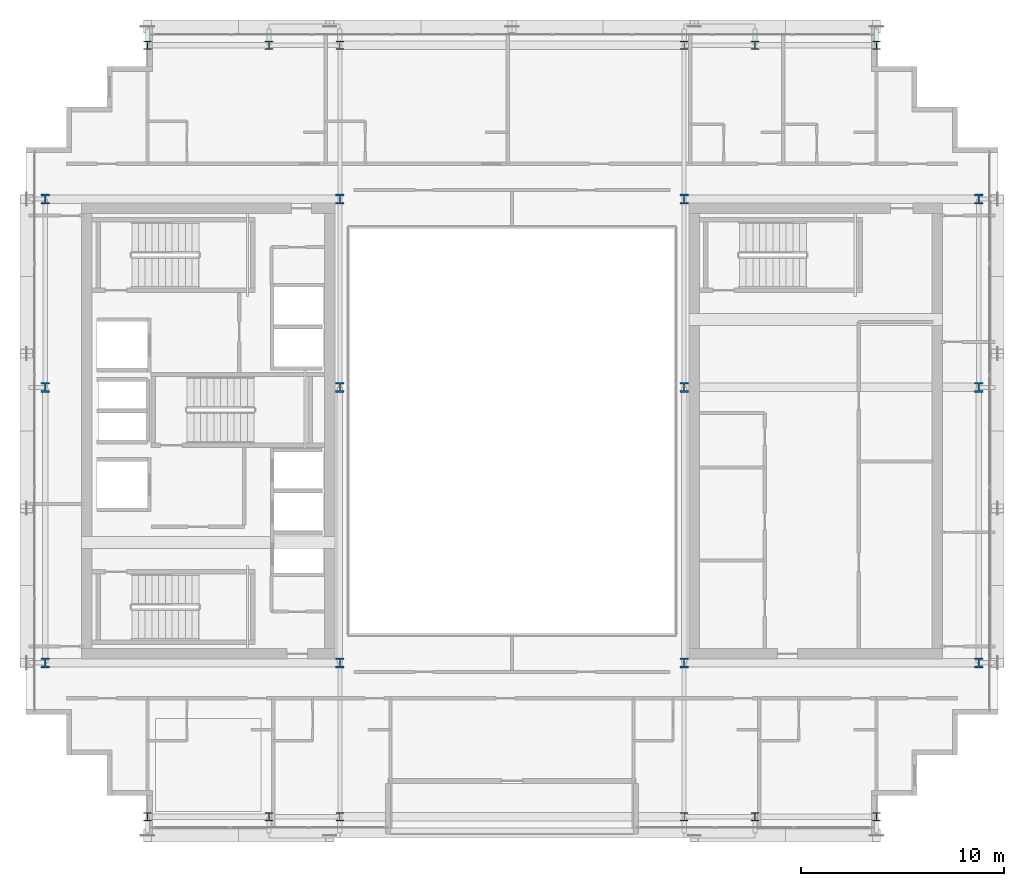
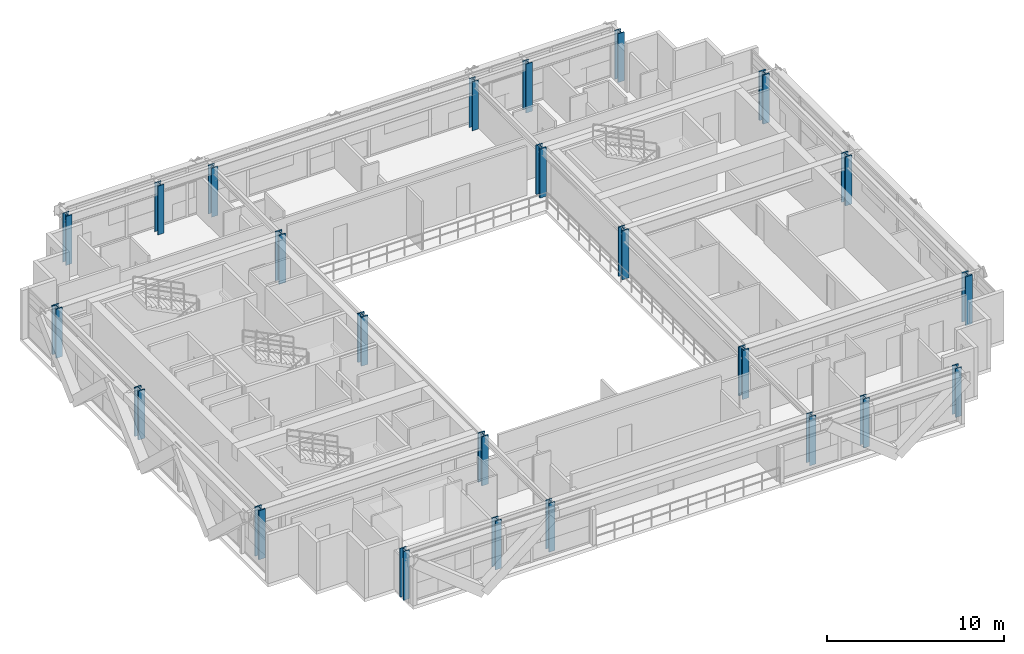
# One storey, part 1 of 32: 24 columns.
"""IFC4 building model written with IfcOpenShell, lengths in metres."""

from ifc_helpers import new_model, si_unit, direction, frame, origin, origin_2d, place, context, subcontext, project, spatial, i_section, extrude, source, transform, mapped, material, material_profile, profile_set, type_object, element, save


model = new_model("IFC4")

# Units and contexts
model_context = context("Model", 3, precision=1e-05, world=origin(), true_north=direction((0.0, 1.0)))
body_context = subcontext(model_context, "Body", "Model", "MODEL_VIEW")
ifc_project = project(units=[si_unit("LENGTHUNIT", "METRE"), si_unit("AREAUNIT", "SQUARE_METRE"), si_unit("VOLUMEUNIT", "CUBIC_METRE"), si_unit("PLANEANGLEUNIT", "RADIAN"), si_unit("MASSUNIT", "GRAM", prefix="KILO")], contexts=[model_context])

# Site, building, storey
site_placement = place(None, origin())
site = spatial("IfcSite", under=ifc_project, at=site_placement, CompositionType="ELEMENT")
building_placement = place(site_placement, origin())
building = spatial("IfcBuilding", under=site, at=building_placement, Name="Ocotamira Hotel", CompositionType="ELEMENT")
storey_placement = place(building_placement, frame((0.0, 0.0, 177.60009765625)))
storey = spatial("IfcBuildingStorey", under=building, at=storey_placement, Name="L44", CompositionType="ELEMENT", Elevation=177.60009765625)

# Columns
ifc_material = material(Name="Steel ASTM A913 Grade 65", Category="steel")
ifc_material_profile_1 = material_profile(ifc_material, i_section(OverallWidth=0.431884765625, OverallDepth=0.498046875, WebThickness=0.0556640625, FlangeThickness=0.0888671875, FilletRadius=0.02490234375, at=origin_2d()), Name="W14X500")
ifc_profile_set_1 = profile_set([ifc_material_profile_1], Name="Steel ASTM A913 Grade 65")
column_type_1 = type_object("IfcColumnType", Name="COL-W14X500", PredefinedType="COLUMN", material=ifc_profile_set_1)
shared_shape_1 = source(origin(), body_context, "Body", "SweptSolid", [
    extrude(i_section(OverallWidth=0.431884765625, OverallDepth=0.498046875, WebThickness=0.0556640625, FlangeThickness=0.0888671875, FilletRadius=0.02490234375, at=origin_2d()), origin(), (0.0, 0.0, 1.0), 3.369873046875),
])
for number, where, z_axis, x_axis, name in (
    (1, (8.949951171875, 14.550048828125, 0.0), (0.0, 0.0, 1.0), (1.0, 0.0, 0.0), "L44 Column TW8_14"),
    (2, (23.5, 14.550048828125, 0.0), (0.0, 0.0, 1.0), (1.0, 0.0, 0.0), "L44 Column TW23_14"),
    (3, (40.5, 14.550048828125, 0.0), (0.0, 0.0, 1.0), (1.0, 0.0, 0.0), "L44 Column TE40_14"),
    (4, (55.050048828125, 14.550048828125, 0.0), (0.0, 0.0, 1.0), (1.0, 0.0, 0.0), "L44 Column TE55_14"),
    (5, (8.949951171875, 28.14990234375, 0.0), (0.0, 0.0, 1.0), (1.0, 0.0, 0.0), "L44 Column TW8_28"),
    (6, (23.5, 28.14990234375, 0.0), (0.0, 0.0, 1.0), (1.0, 0.0, 0.0), "L44 Column TW23_28"),
    (7, (40.5, 28.14990234375, 0.0), (0.0, 0.0, 1.0), (1.0, 0.0, 0.0), "L44 Column TE40_28"),
    (8, (55.050048828125, 28.14990234375, 0.0), (0.0, 0.0, 1.0), (1.0, 0.0, 0.0), "L44 Column TE55_28"),
    (9, (8.949951171875, 37.449951171875, 0.0), (0.0, 0.0, 1.0), (1.0, 0.0, 0.0), "L44 Column TW8_37"),
    (10, (23.5, 37.449951171875, 0.0), (0.0, 0.0, 1.0), (1.0, 0.0, 0.0), "L44 Column TW23_37"),
    (11, (40.5, 37.449951171875, 0.0), (0.0, 0.0, 1.0), (1.0, 0.0, 0.0), "L44 Column TE40_37"),
    (12, (55.050048828125, 37.449951171875, 0.0), (0.0, 0.0, 1.0), (1.0, 0.0, 0.0), "L44 Column TE55_37"),
):
    element("IfcColumn", number, at=place(storey_placement, frame(where, z_axis=z_axis, x_axis=x_axis)), inside=storey, type_object=column_type_1, Name=name, PredefinedType="COLUMN", context=body_context, shape_type="MappedRepresentation", body=[
        mapped(shared_shape_1, transform((0.0, 0.0, 0.0), scale=1.0)),
    ])
ifc_material_profile_2 = material_profile(ifc_material, i_section(OverallWidth=0.404052734375, OverallDepth=0.406982421875, WebThickness=0.027099609375, FlangeThickness=0.043701171875, FilletRadius=0.02490234375, at=origin_2d()), Name="W14X233")
ifc_profile_set_2 = profile_set([ifc_material_profile_2], Name="Steel ASTM A913 Grade 65")
column_type_2 = type_object("IfcColumnType", Name="COL-W14X233", PredefinedType="COLUMN", material=ifc_profile_set_2)
shared_shape_2 = source(origin(), body_context, "Body", "SweptSolid", [
    extrude(i_section(OverallWidth=0.404052734375, OverallDepth=0.406982421875, WebThickness=0.027099609375, FlangeThickness=0.043701171875, FilletRadius=0.02490234375, at=origin_2d()), origin(), (0.0, 0.0, 1.0), 3.369873046875),
])
for number, where, z_axis, x_axis, name in (
    (13, (14.0, 6.949951171875, 0.0), (0.0, 0.0, 1.0), (1.0, 0.0, 0.0), "L44 Column NSP1_14"),
    (14, (20.0, 6.949951171875, 0.0), (0.0, 0.0, 1.0), (1.0, 0.0, 0.0), "L44 Column NSP1_20"),
    (15, (23.5, 6.949951171875, 0.0), (0.0, 0.0, 1.0), (1.0, 0.0, 0.0), "L44 Column NSP1_23"),
    (16, (40.5, 6.949951171875, 0.0), (0.0, 0.0, 1.0), (1.0, 0.0, 0.0), "L44 Column NSP1_40"),
    (17, (44.0, 6.949951171875, 0.0), (0.0, 0.0, 1.0), (1.0, 0.0, 0.0), "L44 Column NSP1_44"),
    (18, (50.0, 6.949951171875, 0.0), (0.0, 0.0, 1.0), (1.0, 0.0, 0.0), "L44 Column NSP1_50"),
    (19, (14.0, 45.050048828125, 0.0), (0.0, 0.0, 1.0), (1.0, 0.0, 0.0), "L44 Column NSP2_14"),
    (20, (20.0, 45.050048828125, 0.0), (0.0, 0.0, 1.0), (1.0, 0.0, 0.0), "L44 Column NSP2_20"),
    (21, (23.5, 45.050048828125, 0.0), (0.0, 0.0, 1.0), (1.0, 0.0, 0.0), "L44 Column NSP2_23"),
    (22, (40.5, 45.050048828125, 0.0), (0.0, 0.0, 1.0), (1.0, 0.0, 0.0), "L44 Column NSP2_40"),
    (23, (44.0, 45.050048828125, 0.0), (0.0, 0.0, 1.0), (1.0, 0.0, 0.0), "L44 Column NSP2_44"),
    (24, (50.0, 45.050048828125, 0.0), (0.0, 0.0, 1.0), (1.0, 0.0, 0.0), "L44 Column NSP2_50"),
):
    element("IfcColumn", number, at=place(storey_placement, frame(where, z_axis=z_axis, x_axis=x_axis)), inside=storey, type_object=column_type_2, Name=name, PredefinedType="COLUMN", context=body_context, shape_type="MappedRepresentation", body=[
        mapped(shared_shape_2, transform((0.0, 0.0, 0.0), scale=1.0)),
    ])

save(model, "model.ifc")
